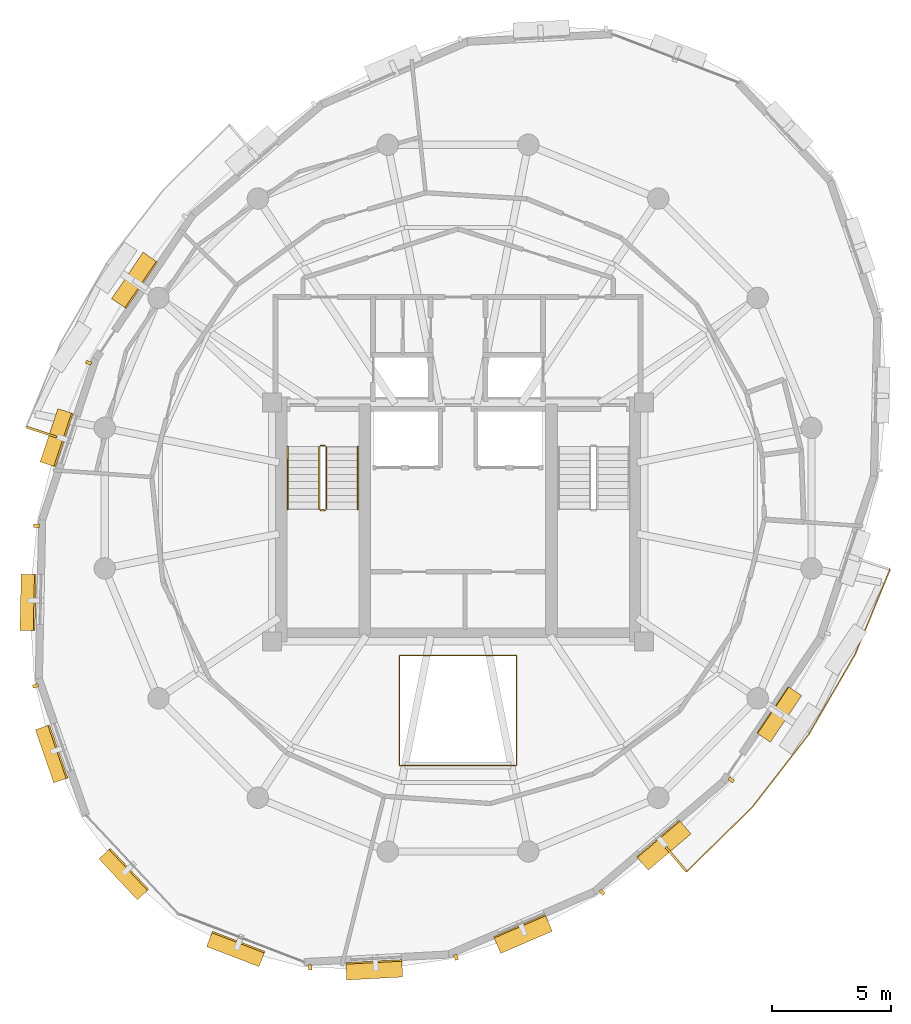
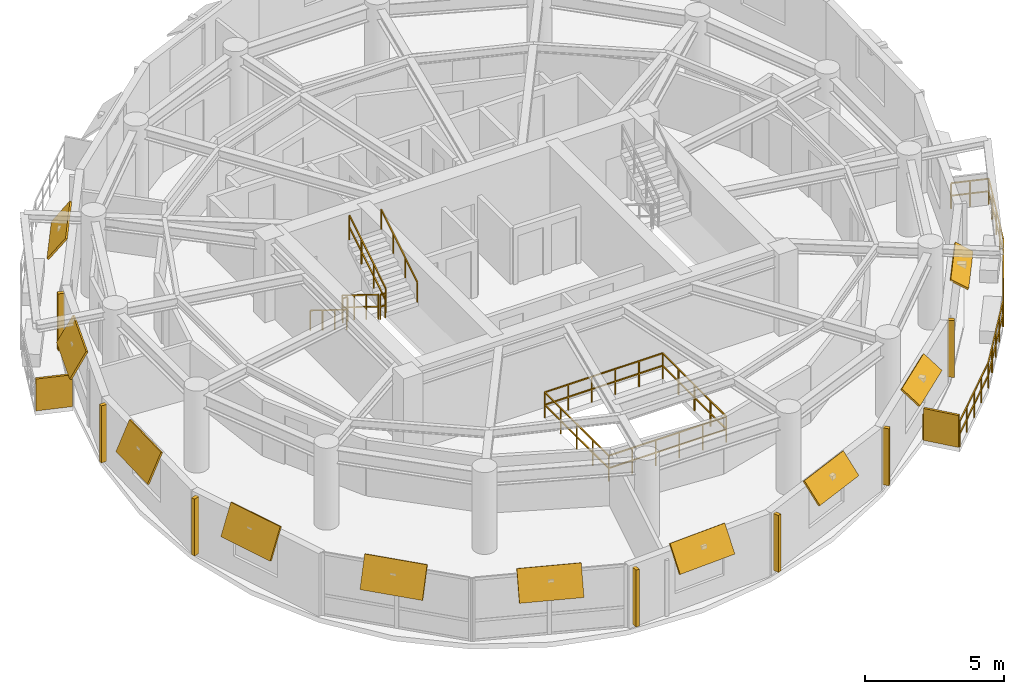
# One storey, part 10 of 11: 19 shading devices, 8 railings.
"""IFC4 building model written with IfcOpenShell, lengths in metres."""

from ifc_helpers import new_model, si_unit, direction, frame, origin, origin_2d, place, context, subcontext, project, spatial, rectangle, extrude, material, layer, layer_set, type_object, element, save


model = new_model("IFC4")

# Units and contexts
model_context = context("Model", 3, precision=1e-05, world=origin(), true_north=direction((0.0, 1.0)))
body_context = subcontext(model_context, "Body", "Model", "MODEL_VIEW")
ifc_project = project(units=[si_unit("LENGTHUNIT", "METRE"), si_unit("AREAUNIT", "SQUARE_METRE"), si_unit("VOLUMEUNIT", "CUBIC_METRE"), si_unit("PLANEANGLEUNIT", "RADIAN"), si_unit("MASSUNIT", "GRAM", prefix="KILO"), si_unit("THERMODYNAMICTEMPERATUREUNIT", "KELVIN"), si_unit("POWERUNIT", "WATT")], contexts=[model_context])

# Site, building, storey
site_placement = place(None, origin())
site = spatial("IfcSite", under=ifc_project, at=site_placement, CompositionType="ELEMENT")
building_placement = place(site_placement, origin())
building = spatial("IfcBuilding", under=site, at=building_placement, Name="Ocrelia Relay Tower", CompositionType="ELEMENT")
storey_placement = place(building_placement, frame((0.0, 0.0, 262.800048828125)))
storey = spatial("IfcBuildingStorey", under=building, at=storey_placement, Name="L65", CompositionType="ELEMENT", Elevation=262.800048828125)

# Railings
ifc_material_1 = material(Name="Steel S355 balustrade", Category="steel")
railing_type_1 = type_object("IfcRailingType", Name="RL-EXT-GUARD-1150", PredefinedType="GUARDRAIL", material=ifc_material_1)
railing_1_placement = place(storey_placement, frame((50.78369140625, 23.451416015625, 0.0)))
element("IfcRailing", 1, at=railing_1_placement, inside=storey, type_object=railing_type_1, Name="L65 Loggia Balcony Guard Rail B2", PredefinedType="GUARDRAIL", context=body_context, shape_type="SweptSolid", body=[
    extrude(rectangle(XDim=0.048095703125, YDim=0.048095703125, at=origin_2d()), frame((0.0, 0.0, 1.1259765625), z_axis=(0.949555632107, -0.313598631268, 0.0), x_axis=(0.313598631268, 0.949555632107, 0.0)), (0.0, 0.0, 1.0), 1.3935546875),
    extrude(rectangle(XDim=0.048095703125, YDim=0.048095703125, at=origin_2d()), frame((0.0, 0.0, 0.574951171875), z_axis=(0.949555632107, -0.313598631268, 0.0), x_axis=(0.313598631268, 0.949555632107, 0.0)), (0.0, 0.0, 1.0), 1.3935546875),
    extrude(rectangle(XDim=0.048095703125, YDim=0.048095703125, at=origin_2d()), frame((1.3232421875, -0.43701171875, 1.1259765625), z_axis=(-0.379573095369, -0.925161750869, 0.0), x_axis=(0.925161750869, -0.379573095369, 0.0)), (0.0, 0.0, 1.0), 1.920654296875),
    extrude(rectangle(XDim=0.048095703125, YDim=0.048095703125, at=origin_2d()), frame((1.3232421875, -0.43701171875, 0.574951171875), z_axis=(-0.379573095369, -0.925161750869, 0.0), x_axis=(0.925161750869, -0.379573095369, 0.0)), (0.0, 0.0, 1.0), 1.920654296875),
    extrude(rectangle(XDim=0.048095703125, YDim=0.048095703125, at=origin_2d()), frame((0.59423828125, -2.2138671875, 1.1259765625), z_axis=(-0.379637247401, -0.925135428132, 0.0), x_axis=(0.925135428132, -0.379637247401, 0.0)), (0.0, 0.0, 1.0), 1.9208984375),
    extrude(rectangle(XDim=0.048095703125, YDim=0.048095703125, at=origin_2d()), frame((0.59423828125, -2.2138671875, 0.574951171875), z_axis=(-0.379637247401, -0.925135428132, 0.0), x_axis=(0.925135428132, -0.379637247401, 0.0)), (0.0, 0.0, 1.0), 1.9208984375),
    extrude(rectangle(XDim=0.048095703125, YDim=0.048095703125, at=origin_2d()), frame((-0.135009765625, -3.990966796875, 1.1259765625), z_axis=(-0.501534529171, -0.865137628386, 0.0), x_axis=(0.865137628386, -0.501534529171, 0.0)), (0.0, 0.0, 1.0), 3.881591796875),
    extrude(rectangle(XDim=0.048095703125, YDim=0.048095703125, at=origin_2d()), frame((-0.135009765625, -3.990966796875, 0.574951171875), z_axis=(-0.501534529171, -0.865137628386, 0.0), x_axis=(0.865137628386, -0.501534529171, 0.0)), (0.0, 0.0, 1.0), 3.881591796875),
    extrude(rectangle(XDim=0.048095703125, YDim=0.048095703125, at=origin_2d()), frame((-2.081787109375, -7.34912109375, 1.1259765625), z_axis=(-0.612882025935, -0.790174425229, 0.0), x_axis=(0.790174425229, -0.612882025935, 0.0)), (0.0, 0.0, 1.0), 3.8818359375),
    extrude(rectangle(XDim=0.048095703125, YDim=0.048095703125, at=origin_2d()), frame((-2.081787109375, -7.34912109375, 0.574951171875), z_axis=(-0.612882025935, -0.790174425229, 0.0), x_axis=(0.790174425229, -0.612882025935, 0.0)), (0.0, 0.0, 1.0), 3.8818359375),
    extrude(rectangle(XDim=0.048095703125, YDim=0.048095703125, at=origin_2d()), frame((-4.4609375, -10.41650390625, 1.1259765625), z_axis=(-0.71431449264, -0.699824839231, 0.0), x_axis=(0.699824839231, -0.71431449264, 0.0)), (0.0, 0.0, 1.0), 1.9208984375),
    extrude(rectangle(XDim=0.048095703125, YDim=0.048095703125, at=origin_2d()), frame((-4.4609375, -10.41650390625, 0.574951171875), z_axis=(-0.71431449264, -0.699824839231, 0.0), x_axis=(0.699824839231, -0.71431449264, 0.0)), (0.0, 0.0, 1.0), 1.9208984375),
    extrude(rectangle(XDim=0.048095703125, YDim=0.048095703125, at=origin_2d()), frame((-5.8330078125, -11.7607421875, 1.1259765625), z_axis=(-0.714378033116, -0.699759977279, 0.0), x_axis=(0.699759977279, -0.714378033116, 0.0)), (0.0, 0.0, 1.0), 1.920654296875),
    extrude(rectangle(XDim=0.048095703125, YDim=0.048095703125, at=origin_2d()), frame((-5.8330078125, -11.7607421875, 0.574951171875), z_axis=(-0.714378033116, -0.699759977279, 0.0), x_axis=(0.699759977279, -0.714378033116, 0.0)), (0.0, 0.0, 1.0), 1.920654296875),
    extrude(rectangle(XDim=0.048095703125, YDim=0.048095703125, at=origin_2d()), frame((-7.205078125, -13.104736328125, 1.1259765625), z_axis=(-0.647770477504, 0.76183555212, 0.0), x_axis=(-0.76183555212, -0.647770477504, 0.0)), (0.0, 0.0, 1.0), 1.393310546875),
    extrude(rectangle(XDim=0.048095703125, YDim=0.048095703125, at=origin_2d()), frame((-7.205078125, -13.104736328125, 0.574951171875), z_axis=(-0.647770477504, 0.76183555212, 0.0), x_axis=(-0.76183555212, -0.647770477504, 0.0)), (0.0, 0.0, 1.0), 1.393310546875),
    extrude(rectangle(XDim=0.0419921875, YDim=0.0419921875, at=origin_2d()), origin(), (0.0, 0.0, 1.0), 1.101806640625),
    extrude(rectangle(XDim=0.0419921875, YDim=0.0419921875, at=origin_2d()), frame((0.66162109375, -0.218505859375, 0.0)), (0.0, 0.0, 1.0), 1.101806640625),
    extrude(rectangle(XDim=0.0419921875, YDim=0.0419921875, at=origin_2d()), frame((1.3232421875, -0.43701171875, 0.0)), (0.0, 0.0, 1.0), 1.101806640625),
    extrude(rectangle(XDim=0.0419921875, YDim=0.0419921875, at=origin_2d()), frame((0.958740234375, -1.325439453125, 0.0)), (0.0, 0.0, 1.0), 1.101806640625),
    extrude(rectangle(XDim=0.0419921875, YDim=0.0419921875, at=origin_2d()), frame((0.59423828125, -2.2138671875, 0.0)), (0.0, 0.0, 1.0), 1.101806640625),
    extrude(rectangle(XDim=0.0419921875, YDim=0.0419921875, at=origin_2d()), frame((0.2294921875, -3.1025390625, 0.0)), (0.0, 0.0, 1.0), 1.101806640625),
    extrude(rectangle(XDim=0.0419921875, YDim=0.0419921875, at=origin_2d()), frame((-0.135009765625, -3.990966796875, 0.0)), (0.0, 0.0, 1.0), 1.101806640625),
    extrude(rectangle(XDim=0.0419921875, YDim=0.0419921875, at=origin_2d()), frame((-0.62158203125, -4.83056640625, 0.0)), (0.0, 0.0, 1.0), 1.101806640625),
    extrude(rectangle(XDim=0.0419921875, YDim=0.0419921875, at=origin_2d()), frame((-1.1083984375, -5.669921875, 0.0)), (0.0, 0.0, 1.0), 1.101806640625),
    extrude(rectangle(XDim=0.0419921875, YDim=0.0419921875, at=origin_2d()), frame((-1.59521484375, -6.509521484375, 0.0)), (0.0, 0.0, 1.0), 1.101806640625),
    extrude(rectangle(XDim=0.0419921875, YDim=0.0419921875, at=origin_2d()), frame((-2.081787109375, -7.34912109375, 0.0)), (0.0, 0.0, 1.0), 1.101806640625),
    extrude(rectangle(XDim=0.0419921875, YDim=0.0419921875, at=origin_2d()), frame((-2.676513671875, -8.115966796875, 0.0)), (0.0, 0.0, 1.0), 1.101806640625),
    extrude(rectangle(XDim=0.0419921875, YDim=0.0419921875, at=origin_2d()), frame((-3.271484375, -8.8828125, 0.0)), (0.0, 0.0, 1.0), 1.101806640625),
    extrude(rectangle(XDim=0.0419921875, YDim=0.0419921875, at=origin_2d()), frame((-3.8662109375, -9.649658203125, 0.0)), (0.0, 0.0, 1.0), 1.101806640625),
    extrude(rectangle(XDim=0.0419921875, YDim=0.0419921875, at=origin_2d()), frame((-4.4609375, -10.41650390625, 0.0)), (0.0, 0.0, 1.0), 1.101806640625),
    extrude(rectangle(XDim=0.0419921875, YDim=0.0419921875, at=origin_2d()), frame((-5.14697265625, -11.088623046875, 0.0)), (0.0, 0.0, 1.0), 1.101806640625),
    extrude(rectangle(XDim=0.0419921875, YDim=0.0419921875, at=origin_2d()), frame((-5.8330078125, -11.7607421875, 0.0)), (0.0, 0.0, 1.0), 1.101806640625),
    extrude(rectangle(XDim=0.0419921875, YDim=0.0419921875, at=origin_2d()), frame((-6.51904296875, -12.4326171875, 0.0)), (0.0, 0.0, 1.0), 1.101806640625),
    extrude(rectangle(XDim=0.0419921875, YDim=0.0419921875, at=origin_2d()), frame((-7.205078125, -13.104736328125, 0.0)), (0.0, 0.0, 1.0), 1.101806640625),
    extrude(rectangle(XDim=0.0419921875, YDim=0.0419921875, at=origin_2d()), frame((-7.65625, -12.573974609375, 0.0)), (0.0, 0.0, 1.0), 1.101806640625),
    extrude(rectangle(XDim=0.0419921875, YDim=0.0419921875, at=origin_2d()), frame((-8.107666015625, -12.043212890625, 0.0)), (0.0, 0.0, 1.0), 1.101806640625),
])
ifc_material_2 = material(Name="Steel S355 atrium balustrade", Category="steel")
railing_type_2 = type_object("IfcRailingType", Name="RL-INT-GUARD-115", PredefinedType="GUARDRAIL", material=ifc_material_2)
railing_2_placement = place(storey_placement, frame((31.550048828125, 14.800048828125, 0.0)))
element("IfcRailing", 2, at=railing_2_placement, inside=storey, type_object=railing_type_2, Name="L65 Multi-Zone Interior Atrium Guard", PredefinedType="GUARDRAIL", context=body_context, shape_type="SweptSolid", body=[
    extrude(rectangle(XDim=0.048095703125, YDim=0.048095703125, at=origin_2d()), frame((0.0, 0.0, 1.1259765625), z_axis=(1.0, 0.0, 0.0), x_axis=(0.0, 1.0, 0.0)), (0.0, 0.0, 1.0), 4.89990234375),
    extrude(rectangle(XDim=0.048095703125, YDim=0.048095703125, at=origin_2d()), frame((0.0, 0.0, 0.574951171875), z_axis=(1.0, 0.0, 0.0), x_axis=(0.0, 1.0, 0.0)), (0.0, 0.0, 1.0), 4.89990234375),
    extrude(rectangle(XDim=0.048095703125, YDim=0.048095703125, at=origin_2d()), frame((4.89990234375, 0.0, 1.1259765625), z_axis=(0.0, 1.0, 0.0), x_axis=(-1.0, 0.0, 0.0)), (0.0, 0.0, 1.0), 4.599853515625),
    extrude(rectangle(XDim=0.048095703125, YDim=0.048095703125, at=origin_2d()), frame((4.89990234375, 0.0, 0.574951171875), z_axis=(0.0, 1.0, 0.0), x_axis=(-1.0, 0.0, 0.0)), (0.0, 0.0, 1.0), 4.599853515625),
    extrude(rectangle(XDim=0.048095703125, YDim=0.048095703125, at=origin_2d()), frame((4.89990234375, 4.599853515625, 1.1259765625), z_axis=(-1.0, 0.0, 0.0), x_axis=(0.0, -1.0, 0.0)), (0.0, 0.0, 1.0), 4.89990234375),
    extrude(rectangle(XDim=0.048095703125, YDim=0.048095703125, at=origin_2d()), frame((4.89990234375, 4.599853515625, 0.574951171875), z_axis=(-1.0, 0.0, 0.0), x_axis=(0.0, -1.0, 0.0)), (0.0, 0.0, 1.0), 4.89990234375),
    extrude(rectangle(XDim=0.048095703125, YDim=0.048095703125, at=origin_2d()), frame((0.0, 4.599853515625, 1.1259765625), z_axis=(0.0, -1.0, 0.0), x_axis=(1.0, 0.0, 0.0)), (0.0, 0.0, 1.0), 4.599853515625),
    extrude(rectangle(XDim=0.048095703125, YDim=0.048095703125, at=origin_2d()), frame((0.0, 4.599853515625, 0.574951171875), z_axis=(0.0, -1.0, 0.0), x_axis=(1.0, 0.0, 0.0)), (0.0, 0.0, 1.0), 4.599853515625),
    extrude(rectangle(XDim=0.0419921875, YDim=0.0419921875, at=origin_2d()), origin(), (0.0, 0.0, 1.0), 1.101806640625),
    extrude(rectangle(XDim=0.0419921875, YDim=0.0419921875, at=origin_2d()), frame((0.97998046875, 0.0, 0.0)), (0.0, 0.0, 1.0), 1.101806640625),
    extrude(rectangle(XDim=0.0419921875, YDim=0.0419921875, at=origin_2d()), frame((1.9599609375, 0.0, 0.0)), (0.0, 0.0, 1.0), 1.101806640625),
    extrude(rectangle(XDim=0.0419921875, YDim=0.0419921875, at=origin_2d()), frame((2.93994140625, 0.0, 0.0)), (0.0, 0.0, 1.0), 1.101806640625),
    extrude(rectangle(XDim=0.0419921875, YDim=0.0419921875, at=origin_2d()), frame((3.919921875, 0.0, 0.0)), (0.0, 0.0, 1.0), 1.101806640625),
    extrude(rectangle(XDim=0.0419921875, YDim=0.0419921875, at=origin_2d()), frame((4.89990234375, 0.0, 0.0)), (0.0, 0.0, 1.0), 1.101806640625),
    extrude(rectangle(XDim=0.0419921875, YDim=0.0419921875, at=origin_2d()), frame((4.89990234375, 1.14990234375, 0.0)), (0.0, 0.0, 1.0), 1.101806640625),
    extrude(rectangle(XDim=0.0419921875, YDim=0.0419921875, at=origin_2d()), frame((4.89990234375, 2.2998046875, 0.0)), (0.0, 0.0, 1.0), 1.101806640625),
    extrude(rectangle(XDim=0.0419921875, YDim=0.0419921875, at=origin_2d()), frame((4.89990234375, 3.449951171875, 0.0)), (0.0, 0.0, 1.0), 1.101806640625),
    extrude(rectangle(XDim=0.0419921875, YDim=0.0419921875, at=origin_2d()), frame((4.89990234375, 4.599853515625, 0.0)), (0.0, 0.0, 1.0), 1.101806640625),
    extrude(rectangle(XDim=0.0419921875, YDim=0.0419921875, at=origin_2d()), frame((3.919921875, 4.599853515625, 0.0)), (0.0, 0.0, 1.0), 1.101806640625),
    extrude(rectangle(XDim=0.0419921875, YDim=0.0419921875, at=origin_2d()), frame((2.93994140625, 4.599853515625, 0.0)), (0.0, 0.0, 1.0), 1.101806640625),
    extrude(rectangle(XDim=0.0419921875, YDim=0.0419921875, at=origin_2d()), frame((1.9599609375, 4.599853515625, 0.0)), (0.0, 0.0, 1.0), 1.101806640625),
    extrude(rectangle(XDim=0.0419921875, YDim=0.0419921875, at=origin_2d()), frame((0.97998046875, 4.599853515625, 0.0)), (0.0, 0.0, 1.0), 1.101806640625),
    extrude(rectangle(XDim=0.0419921875, YDim=0.0419921875, at=origin_2d()), frame((0.0, 4.599853515625, 0.0)), (0.0, 0.0, 1.0), 1.101806640625),
    extrude(rectangle(XDim=0.0419921875, YDim=0.0419921875, at=origin_2d()), frame((0.0, 3.449951171875, 0.0)), (0.0, 0.0, 1.0), 1.101806640625),
    extrude(rectangle(XDim=0.0419921875, YDim=0.0419921875, at=origin_2d()), frame((0.0, 2.2998046875, 0.0)), (0.0, 0.0, 1.0), 1.101806640625),
    extrude(rectangle(XDim=0.0419921875, YDim=0.0419921875, at=origin_2d()), frame((0.0, 1.14990234375, 0.0)), (0.0, 0.0, 1.0), 1.101806640625),
])
railing_type_3 = type_object("IfcRailingType", Name="RL-STAIR-GUARD", PredefinedType="GUARDRAIL", material=ifc_material_1)
railing_3_placement = place(storey_placement, frame((28.179931640625, 28.14990234375, 0.179931640625)))
element("IfcRailing", 3, at=railing_3_placement, inside=storey, type_object=railing_type_3, Name="L65 ST1 stair guard 1", PredefinedType="GUARDRAIL", context=body_context, shape_type="SweptSolid", body=[
    extrude(rectangle(XDim=0.048095703125, YDim=0.048095703125, at=origin_2d()), frame((0.0, 0.0, 1.076171875), z_axis=(0.0, -0.849610693518, 0.52741034258), x_axis=(1.0, 0.0, 0.0)), (0.0, 0.0, 1.0), 3.07177734375),
    extrude(rectangle(XDim=0.048095703125, YDim=0.048095703125, at=origin_2d()), frame((0.0, 0.0, 0.550048828125), z_axis=(0.0, -0.849610693518, 0.52741034258), x_axis=(1.0, 0.0, 0.0)), (0.0, 0.0, 1.0), 3.07177734375),
    extrude(rectangle(XDim=0.0419921875, YDim=0.0419921875, at=origin_2d()), origin(), (0.0, 0.0, 1.0), 1.052001953125),
    extrude(rectangle(XDim=0.0419921875, YDim=0.0419921875, at=origin_2d()), frame((0.0, -0.869873046875, 0.5400390625)), (0.0, 0.0, 1.0), 1.052001953125),
    extrude(rectangle(XDim=0.0419921875, YDim=0.0419921875, at=origin_2d()), frame((0.0, -1.739990234375, 1.080078125)), (0.0, 0.0, 1.0), 1.052001953125),
    extrude(rectangle(XDim=0.0419921875, YDim=0.0419921875, at=origin_2d()), frame((0.0, -2.60986328125, 1.6201171875)), (0.0, 0.0, 1.0), 1.052001953125),
])
railing_4_placement = place(storey_placement, frame((28.22998046875, 25.489990234375, 1.800048828125)))
element("IfcRailing", 4, at=railing_4_placement, inside=storey, type_object=railing_type_3, Name="L65 ST1 stair guard 2", PredefinedType="GUARDRAIL", context=body_context, shape_type="SweptSolid", body=[
    extrude(rectangle(XDim=0.048095703125, YDim=0.048095703125, at=origin_2d()), frame((0.0, 0.0, 1.076171875), z_axis=(1.0, 0.0, 0.0), x_axis=(0.0, 1.0, 0.0)), (0.0, 0.0, 1.0), 0.199951171875),
    extrude(rectangle(XDim=0.048095703125, YDim=0.048095703125, at=origin_2d()), frame((0.0, 0.0, 0.550048828125), z_axis=(1.0, 0.0, 0.0), x_axis=(0.0, 1.0, 0.0)), (0.0, 0.0, 1.0), 0.199951171875),
    extrude(rectangle(XDim=0.0419921875, YDim=0.0419921875, at=origin_2d()), origin(), (0.0, 0.0, 1.0), 1.052001953125),
    extrude(rectangle(XDim=0.0419921875, YDim=0.0419921875, at=origin_2d()), frame((0.199951171875, 0.0, 0.0)), (0.0, 0.0, 1.0), 1.052001953125),
])
railing_5_placement = place(storey_placement, frame((28.47998046875, 25.5400390625, 1.97998046875)))
element("IfcRailing", 5, at=railing_5_placement, inside=storey, type_object=railing_type_3, Name="L65 ST1 stair guard 3", PredefinedType="GUARDRAIL", context=body_context, shape_type="SweptSolid", body=[
    extrude(rectangle(XDim=0.048095703125, YDim=0.048095703125, at=origin_2d()), frame((0.0, 0.0, 1.076171875), z_axis=(0.0, 0.849646306263, 0.527352969322), x_axis=(-1.0, 0.0, 0.0)), (0.0, 0.0, 1.0), 3.07177734375),
    extrude(rectangle(XDim=0.048095703125, YDim=0.048095703125, at=origin_2d()), frame((0.0, 0.0, 0.550048828125), z_axis=(0.0, 0.849646306263, 0.527352969322), x_axis=(-1.0, 0.0, 0.0)), (0.0, 0.0, 1.0), 3.07177734375),
    extrude(rectangle(XDim=0.0419921875, YDim=0.0419921875, at=origin_2d()), origin(), (0.0, 0.0, 1.0), 1.052001953125),
    extrude(rectangle(XDim=0.0419921875, YDim=0.0419921875, at=origin_2d()), frame((0.0, 0.869873046875, 0.5400390625)), (0.0, 0.0, 1.0), 1.052001953125),
    extrude(rectangle(XDim=0.0419921875, YDim=0.0419921875, at=origin_2d()), frame((0.0, 1.739990234375, 1.079833984375)), (0.0, 0.0, 1.0), 1.052001953125),
    extrude(rectangle(XDim=0.0419921875, YDim=0.0419921875, at=origin_2d()), frame((0.0, 2.60986328125, 1.619873046875)), (0.0, 0.0, 1.0), 1.052001953125),
])
railing_6_placement = place(storey_placement, frame((28.22998046875, 28.199951171875, 0.0)))
element("IfcRailing", 6, at=railing_6_placement, inside=storey, type_object=railing_type_3, Name="L65 ST1 stair guard 4", PredefinedType="GUARDRAIL", context=body_context, shape_type="SweptSolid", body=[
    extrude(rectangle(XDim=0.048095703125, YDim=0.048095703125, at=origin_2d()), frame((0.0, 0.0, 1.076171875), z_axis=(1.0, 0.0, 0.0), x_axis=(0.0, 1.0, 0.0)), (0.0, 0.0, 1.0), 0.199951171875),
    extrude(rectangle(XDim=0.048095703125, YDim=0.048095703125, at=origin_2d()), frame((0.0, 0.0, 0.550048828125), z_axis=(1.0, 0.0, 0.0), x_axis=(0.0, 1.0, 0.0)), (0.0, 0.0, 1.0), 0.199951171875),
    extrude(rectangle(XDim=0.0419921875, YDim=0.0419921875, at=origin_2d()), origin(), (0.0, 0.0, 1.0), 1.052001953125),
    extrude(rectangle(XDim=0.0419921875, YDim=0.0419921875, at=origin_2d()), frame((0.199951171875, 0.0, 0.0)), (0.0, 0.0, 1.0), 1.052001953125),
])
ifc_material_3 = material(Name="Steel S355 tubular handrail", Category="steel")
railing_type_4 = type_object("IfcRailingType", Name="RL-STAIR-HAND", PredefinedType="HANDRAIL", material=ifc_material_3)
railing_7_placement = place(storey_placement, frame((26.860107421875, 28.14990234375, 0.179931640625)))
element("IfcRailing", 7, at=railing_7_placement, inside=storey, type_object=railing_type_4, Name="L65 ST1 stair handrail 1", PredefinedType="HANDRAIL", context=body_context, shape_type="SweptSolid", body=[
    extrude(rectangle(XDim=0.048095703125, YDim=0.048095703125, at=origin_2d()), frame((0.0, 0.0, 0.8759765625), z_axis=(0.0, -0.849610693518, 0.52741034258), x_axis=(1.0, 0.0, 0.0)), (0.0, 0.0, 1.0), 3.07177734375),
    extrude(rectangle(XDim=0.0419921875, YDim=0.0419921875, at=origin_2d()), origin(), (0.0, 0.0, 1.0), 0.851806640625),
    extrude(rectangle(XDim=0.0419921875, YDim=0.0419921875, at=origin_2d()), frame((0.0, -0.869873046875, 0.5400390625)), (0.0, 0.0, 1.0), 0.851806640625),
    extrude(rectangle(XDim=0.0419921875, YDim=0.0419921875, at=origin_2d()), frame((0.0, -1.739990234375, 1.080078125)), (0.0, 0.0, 1.0), 0.851806640625),
    extrude(rectangle(XDim=0.0419921875, YDim=0.0419921875, at=origin_2d()), frame((0.0, -2.60986328125, 1.6201171875)), (0.0, 0.0, 1.0), 0.851806640625),
])
railing_8_placement = place(storey_placement, frame((29.800048828125, 25.5400390625, 1.97998046875)))
element("IfcRailing", 8, at=railing_8_placement, inside=storey, type_object=railing_type_4, Name="L65 ST1 stair handrail 2", PredefinedType="HANDRAIL", context=body_context, shape_type="SweptSolid", body=[
    extrude(rectangle(XDim=0.048095703125, YDim=0.048095703125, at=origin_2d()), frame((0.0, 0.0, 0.8759765625), z_axis=(0.0, 0.849646306263, 0.527352969322), x_axis=(-1.0, 0.0, 0.0)), (0.0, 0.0, 1.0), 3.07177734375),
    extrude(rectangle(XDim=0.0419921875, YDim=0.0419921875, at=origin_2d()), origin(), (0.0, 0.0, 1.0), 0.851806640625),
    extrude(rectangle(XDim=0.0419921875, YDim=0.0419921875, at=origin_2d()), frame((0.0, 0.869873046875, 0.5400390625)), (0.0, 0.0, 1.0), 0.851806640625),
    extrude(rectangle(XDim=0.0419921875, YDim=0.0419921875, at=origin_2d()), frame((0.0, 1.739990234375, 1.079833984375)), (0.0, 0.0, 1.0), 0.851806640625),
    extrude(rectangle(XDim=0.0419921875, YDim=0.0419921875, at=origin_2d()), frame((0.0, 2.60986328125, 1.619873046875)), (0.0, 0.0, 1.0), 0.851806640625),
])

# Shading devices
ifc_material_4 = material(Name="Perforated oxide terracotta solar screen", Category="masonry")
ifc_layer_1 = layer(ifc_material_4, 0.090087890625, Name="Perforated oxide terracotta solar screen")
ifc_layer_set_1 = layer_set([ifc_layer_1], Name="Perforated oxide terracotta solar screen")
shading_device_type_1 = type_object("IfcShadingDeviceType", Name="SH-BALC-SCREEN", PredefinedType="USERDEFINED", material=ifc_layer_set_1)
for number, where, z_axis, x_axis, name in (
    (9, (16.5546875, 28.76708984375, 0.0), (0.0, 0.0, 1.0), (-0.949597890766, 0.313470645919, 0.0), "L65 Balcony Perforated Terracotta Screen B1-2"),
    (10, (43.127197265625, 10.87744140625, 0.0), (0.0, 0.0, 1.0), (0.647671334334, -0.761919840063, 0.0), "L65 Balcony Perforated Terracotta Screen B2-1"),
):
    element("IfcShadingDevice", number, at=place(storey_placement, frame(where, z_axis=z_axis, x_axis=x_axis)), inside=storey, type_object=shading_device_type_1, Name=name, ObjectType="SCREEN", PredefinedType="USERDEFINED", context=body_context, shape_type="SweptSolid", body=[
        extrude(rectangle(XDim=1.340087890625, YDim=0.090087890625, at=origin_2d()), origin(), (0.0, 0.0, 1.0), 1.39990234375),
    ])
ifc_material_5 = material(Name="Extruded oxide terracotta vertical baguette", Category="masonry")
shading_device_type_2 = type_object("IfcShadingDeviceType", Name="SH-TERR-BAGUETTE", PredefinedType="USERDEFINED", material=ifc_material_5)
for number, where, z_axis, x_axis, name in (
    (11, (18.51708984375, 31.674560546875, 0.1298828125), (0.0, 0.0, 1.0), (-0.314958373679, -0.949105485628, 0.0), "L65 Oxide Terracotta Vertical Baguette 06"),
    (12, (16.3349609375, 24.841552734375, 0.1298828125), (0.0, 0.0, 1.0), (-0.020878655431, -0.999782017115, 0.0), "L65 Oxide Terracotta Vertical Baguette 07"),
    (13, (16.292236328125, 18.133056640625, 0.1298828125), (0.0, 0.0, 1.0), (0.326685580937, -0.945133075925, 0.0), "L65 Oxide Terracotta Vertical Baguette 08"),
    (14, (27.799072265625, 6.33837890625, 0.1298828125), (0.0, 0.0, 1.0), (0.99859958696, 0.052904299663, 0.0), "L65 Oxide Terracotta Vertical Baguette 11"),
    (15, (33.912109375, 6.759765625, 0.1298828125), (0.0, 0.0, 1.0), (0.918477227414, 0.395473871099, 0.0), "L65 Oxide Terracotta Vertical Baguette 12"),
    (16, (40.0341796875, 9.48388671875, 0.1298828125), (0.0, 0.0, 1.0), (0.760866402247, 0.648908558991, 0.0), "L65 Oxide Terracotta Vertical Baguette 13"),
    (17, (45.440673828125, 14.19091796875, 0.1298828125), (0.0, 0.0, 1.0), (0.55847562768, 0.829520929987, 0.0), "L65 Oxide Terracotta Vertical Baguette 14"),
):
    element("IfcShadingDevice", number, at=place(storey_placement, frame(where, z_axis=z_axis, x_axis=x_axis)), inside=storey, type_object=shading_device_type_2, Name=name, ObjectType="BAGUETTE", PredefinedType="USERDEFINED", context=body_context, shape_type="SweptSolid", body=[
        extrude(rectangle(XDim=0.139892578125, YDim=0.239990234375, at=origin_2d()), origin(), (0.0, 0.0, 1.0), 2.5),
    ])
ifc_material_6 = material(Name="Extruded oxide terracotta fin", Category="masonry")
ifc_layer_2 = layer(ifc_material_6, 0.080078125, Name="Extruded oxide terracotta fin")
ifc_layer_set_2 = layer_set([ifc_layer_2], Name="Extruded oxide terracotta fin")
shading_device_type_3 = type_object("IfcShadingDeviceType", Name="SH-VISOR-FIN-DEEP", PredefinedType="USERDEFINED", material=ifc_layer_set_2)
shading_device_1_placement = place(storey_placement, frame((20.473388671875, 35.10693359375, 2.576416015625), z_axis=(-0.674315500358, 0.453983448402, 0.582406760395), x_axis=(-0.55847562768, -0.829520929987, 0.0)))
element("IfcShadingDevice", 18, at=shading_device_1_placement, inside=storey, type_object=shading_device_type_3, Name="L65 Canted Terracotta Sun-Visor Fin 05", ObjectType="FIN", PredefinedType="USERDEFINED", context=body_context, shape_type="SweptSolid", body=[
    extrude(rectangle(XDim=2.35009765625, YDim=1.156005859375, at=origin_2d()), origin(), (0.0, 0.0, 1.0), 0.080078125),
])
shading_device_2_placement = place(storey_placement, frame((17.21044921875, 28.519287109375, 2.5810546875), z_axis=(-0.838010403905, 0.27809173789, 0.469471562786), x_axis=(-0.314958373679, -0.949105485628, 0.0)))
element("IfcShadingDevice", 19, at=shading_device_2_placement, inside=storey, type_object=shading_device_type_3, Name="L65 Canted Terracotta Sun-Visor Fin 06", ObjectType="FIN", PredefinedType="USERDEFINED", context=body_context, shape_type="SweptSolid", body=[
    extrude(rectangle(XDim=2.35009765625, YDim=1.282958984375, at=origin_2d()), origin(), (0.0, 0.0, 1.0), 0.080078125),
])
shading_device_3_placement = place(storey_placement, frame((16.016357421875, 21.62890625, 2.583251953125), z_axis=(-0.909979875718, 0.019003298668, 0.414216731225), x_axis=(-0.020878655431, -0.999782017115, 0.0)))
element("IfcShadingDevice", 20, at=shading_device_3_placement, inside=storey, type_object=shading_device_type_3, Name="L65 Canted Terracotta Sun-Visor Fin 07", ObjectType="FIN", PredefinedType="USERDEFINED", context=body_context, shape_type="SweptSolid", body=[
    extrude(rectangle(XDim=2.35009765625, YDim=1.342041015625, at=origin_2d()), origin(), (0.0, 0.0, 1.0), 0.080078125),
])
shading_device_4_placement = place(storey_placement, frame((17.001220703125, 15.29638671875, 2.58349609375), z_axis=(-0.862142497489, -0.297999858239, 0.409763832607), x_axis=(0.326685580937, -0.945133075925, 0.0)))
element("IfcShadingDevice", 21, at=shading_device_4_placement, inside=storey, type_object=shading_device_type_3, Name="L65 Canted Terracotta Sun-Visor Fin 08", ObjectType="FIN", PredefinedType="USERDEFINED", context=body_context, shape_type="SweptSolid", body=[
    extrude(rectangle(XDim=2.35009765625, YDim=1.346923828125, at=origin_2d()), origin(), (0.0, 0.0, 1.0), 0.080078125),
])
shading_device_5_placement = place(storey_placement, frame((20.016845703125, 10.2724609375, 2.582275390625), z_axis=(-0.65646121929, -0.614249003121, 0.437900479257), x_axis=(0.683240243185, -0.73019365246, 0.0)))
element("IfcShadingDevice", 22, at=shading_device_5_placement, inside=storey, type_object=shading_device_type_3, Name="L65 Canted Terracotta Sun-Visor Fin 09", ObjectType="FIN", PredefinedType="USERDEFINED", context=body_context, shape_type="SweptSolid", body=[
    extrude(rectangle(XDim=2.35009765625, YDim=1.31689453125, at=origin_2d()), origin(), (0.0, 0.0, 1.0), 0.080078125),
])
shading_device_6_placement = place(storey_placement, frame((24.695068359375, 7.139892578125, 2.580322265625), z_axis=(-0.312553119177, -0.814317656409, 0.489078012338), x_axis=(0.93359352181, -0.358333833227, 0.0)))
element("IfcShadingDevice", 23, at=shading_device_6_placement, inside=storey, type_object=shading_device_type_3, Name="L65 Canted Terracotta Sun-Visor Fin 10", ObjectType="FIN", PredefinedType="USERDEFINED", context=body_context, shape_type="SweptSolid", body=[
    extrude(rectangle(XDim=2.35009765625, YDim=1.261962890625, at=origin_2d()), origin(), (0.0, 0.0, 1.0), 0.080078125),
])
shading_device_7_placement = place(storey_placement, frame((30.486328125, 6.265869140625, 2.577392578125), z_axis=(0.04375092786, -0.825824342602, 0.562227722082), x_axis=(0.99859958696, 0.052904299663, 0.0)))
element("IfcShadingDevice", 24, at=shading_device_7_placement, inside=storey, type_object=shading_device_type_3, Name="L65 Canted Terracotta Sun-Visor Fin 11", ObjectType="FIN", PredefinedType="USERDEFINED", context=body_context, shape_type="SweptSolid", body=[
    extrude(rectangle(XDim=2.35009765625, YDim=1.179931640625, at=origin_2d()), origin(), (0.0, 0.0, 1.0), 0.080078125),
])
ifc_layer_3 = layer(ifc_material_6, 0.080078125, Name="Extruded oxide terracotta fin")
ifc_layer_set_3 = layer_set([ifc_layer_3], Name="Extruded oxide terracotta fin")
shading_device_type_4 = type_object("IfcShadingDeviceType", Name="SH-VISOR-FIN-MED", PredefinedType="USERDEFINED", material=ifc_layer_set_3)
shading_device_8_placement = place(storey_placement, frame((36.706787109375, 7.764404296875, 2.573486328125), z_axis=(0.297696790484, -0.691392637329, 0.65829540632), x_axis=(0.918477227414, 0.395473871099, 0.0)))
element("IfcShadingDevice", 25, at=shading_device_8_placement, inside=storey, type_object=shading_device_type_4, Name="L65 Canted Terracotta Sun-Visor Fin 12", ObjectType="FIN", PredefinedType="USERDEFINED", context=body_context, shape_type="SweptSolid", body=[
    extrude(rectangle(XDim=2.35009765625, YDim=1.06396484375, at=origin_2d()), origin(), (0.0, 0.0, 1.0), 0.080078125),
])
shading_device_9_placement = place(storey_placement, frame((42.60400390625, 11.47412109375, 2.569091796875), z_axis=(0.413978842537, -0.485403664605, 0.770068049148), x_axis=(0.760866402247, 0.648908558991, 0.0)))
element("IfcShadingDevice", 26, at=shading_device_9_placement, inside=storey, type_object=shading_device_type_4, Name="L65 Canted Terracotta Sun-Visor Fin 13", ObjectType="FIN", PredefinedType="USERDEFINED", context=body_context, shape_type="SweptSolid", body=[
    extrude(rectangle(XDim=2.35009765625, YDim=0.910888671875, at=origin_2d()), origin(), (0.0, 0.0, 1.0), 0.080078125),
])
ifc_layer_4 = layer(ifc_material_6, 0.080078125, Name="Extruded oxide terracotta fin")
ifc_layer_set_4 = layer_set([ifc_layer_4], Name="Extruded oxide terracotta fin")
shading_device_type_5 = type_object("IfcShadingDeviceType", Name="SH-VISOR-FIN-SHAL", PredefinedType="USERDEFINED", material=ifc_layer_set_4)
shading_device_10_placement = place(storey_placement, frame((47.441650390625, 16.95068359375, 2.56494140625), z_axis=(0.409986860277, -0.276023980658, 0.869322458298), x_axis=(0.55847562768, 0.829520929987, 0.0)))
element("IfcShadingDevice", 27, at=shading_device_10_placement, inside=storey, type_object=shading_device_type_5, Name="L65 Canted Terracotta Sun-Visor Fin 14", ObjectType="FIN", PredefinedType="USERDEFINED", context=body_context, shape_type="SweptSolid", body=[
    extrude(rectangle(XDim=2.35009765625, YDim=0.743896484375, at=origin_2d()), origin(), (0.0, 0.0, 1.0), 0.080078125),
])

save(model, "model.ifc")
